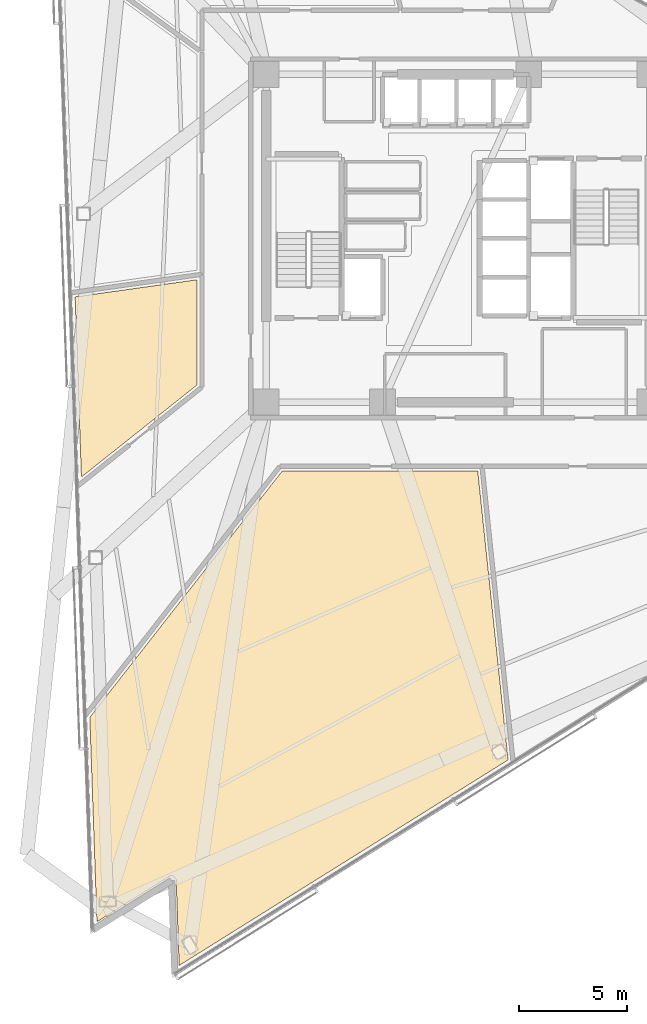
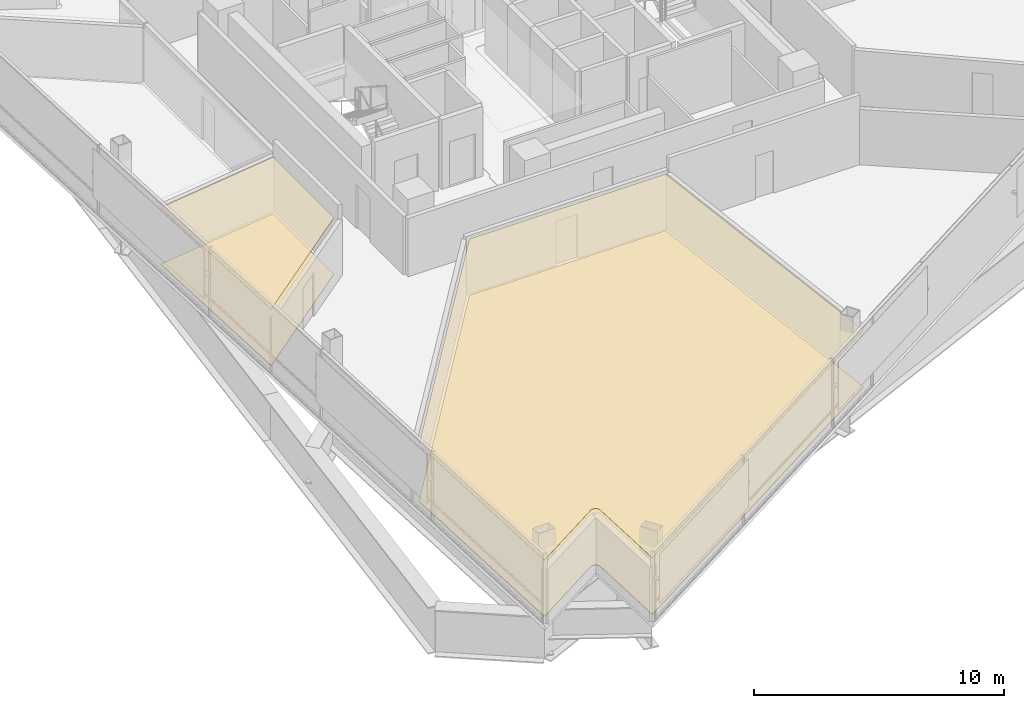
# One storey, part 17 of 20: 4 coverings.
"""IFC4 building model written with IfcOpenShell, lengths in metres."""

from ifc_helpers import new_model, si_unit, direction, frame, origin, place, context, subcontext, project, spatial, polyline, outline, extrude, material, layer, layer_set, type_object, element, save


model = new_model("IFC4")

# Units and contexts
model_context = context("Model", 3, precision=1e-05, world=origin(), true_north=direction((0.0, 1.0)))
body_context = subcontext(model_context, "Body", "Model", "MODEL_VIEW")
ifc_project = project(units=[si_unit("LENGTHUNIT", "METRE"), si_unit("AREAUNIT", "SQUARE_METRE"), si_unit("VOLUMEUNIT", "CUBIC_METRE"), si_unit("PLANEANGLEUNIT", "RADIAN"), si_unit("MASSUNIT", "GRAM", prefix="KILO")], contexts=[model_context])

# Site, building, storey
site_placement = place(None, origin())
site = spatial("IfcSite", under=ifc_project, at=site_placement, CompositionType="ELEMENT")
building_placement = place(site_placement, origin())
building = spatial("IfcBuilding", under=site, at=building_placement, Name="Tharavind Bronze Gate", CompositionType="ELEMENT")
storey_placement = place(building_placement, frame((0.0, 0.0, 138.800048828125)))
storey = spatial("IfcBuildingStorey", under=building, at=storey_placement, Name="L35", CompositionType="ELEMENT", Elevation=138.800048828125)

# Coverings
ifc_material_1 = material(Name="Perforated Bronze Acoustic Panel", Category="bronze")
ifc_layer_1 = layer(ifc_material_1, 0.044921875)
ifc_layer_set_1 = layer_set([ifc_layer_1], Name="Perforated Bronze Acoustic Panel")
covering_type_1 = type_object("IfcCoveringType", Name="ACOUSTIC BRONZE BAFFLE CEILING", PredefinedType="CEILING", material=ifc_layer_set_1)
covering_1_placement = place(storey_placement, frame((0.0, 0.0, 2.75)))
element("IfcCovering", 1, at=covering_1_placement, inside=storey, type_object=covering_type_1, Name="L35-RM-04 suspended ceiling", PredefinedType="CEILING", context=body_context, shape_type="SweptSolid", body=[
    extrude(outline(polyline([(-17.4716796875, -11.073486328125), (-12.10009765625, -6.79736328125), (-12.10009765625, -1.922607421875), (-17.763427734375, -2.718505859375), (-17.4716796875, -11.073486328125)])), origin(), (0.0, 0.0, 1.0), 0.034912109375),
])
ifc_material_2 = material(Name="Engineered Oak & Carpet Tile", Category="wood")
ifc_layer_2 = layer(ifc_material_2, 0.02490234375)
ifc_layer_set_2 = layer_set([ifc_layer_2], Name="Engineered Oak & Carpet Tile")
covering_type_2 = type_object("IfcCoveringType", Name="ENGINEERED TIMBER FLOORING", PredefinedType="FLOORING", material=ifc_layer_set_2)
covering_2_placement = place(storey_placement, origin())
element("IfcCovering", 2, at=covering_2_placement, inside=storey, type_object=covering_type_2, Name="L35-RM-04 floor finish", PredefinedType="FLOORING", context=body_context, shape_type="SweptSolid", body=[
    extrude(outline(polyline([(-17.4716796875, -11.073486328125), (-12.10009765625, -6.79736328125), (-12.10009765625, -1.922607421875), (-17.763427734375, -2.718505859375), (-17.4716796875, -11.073486328125)])), origin(), (0.0, 0.0, 1.0), 0.02490234375),
])
covering_3_placement = place(storey_placement, origin())
element("IfcCovering", 3, at=covering_3_placement, inside=storey, type_object=covering_type_2, Name="L35-RM-05 floor finish", PredefinedType="FLOORING", context=body_context, shape_type="SweptSolid", body=[
    extrude(outline(polyline([(-16.751220703125, -31.70361328125), (-13.411376953125, -29.61669921875), (-13.402099609375, -29.611083984375), (-13.401611328125, -29.61083984375), (-13.3818359375, -29.60107421875), (-13.361328125, -29.593505859375), (-13.340087890625, -29.587890625), (-13.318359375, -29.584228515625), (-13.29638671875, -29.5830078125), (-13.274658203125, -29.583740234375), (-13.2529296875, -29.5869140625), (-13.231689453125, -29.592041015625), (-13.2109375, -29.599365234375), (-13.19091796875, -29.608642578125), (-13.172119140625, -29.6201171875), (-13.154541015625, -29.633056640625), (-13.138427734375, -29.647705078125), (-13.123779296875, -29.6640625), (-13.110595703125, -29.681884765625), (-13.099609375, -29.70068359375), (-13.09033203125, -29.720458984375), (-13.083251953125, -29.7412109375), (-13.078125, -29.7626953125), (-13.0751953125, -29.7841796875), (-13.0751953125, -29.784912109375), (-13.074462890625, -29.7958984375), (-12.93701171875, -33.731689453125), (2.322021484375, -24.197021484375), (0.913818359375, -10.800048828125), (-8.15869140625, -10.800048828125), (-17.082275390625, -22.2216796875), (-16.751220703125, -31.70361328125)])), origin(), (0.0, 0.0, 1.0), 0.02490234375),
])
ifc_material_3 = material(Name="Acoustic Gypsum Board", Category="gypsum")
ifc_layer_3 = layer(ifc_material_3, 0.030029296875)
ifc_layer_set_3 = layer_set([ifc_layer_3], Name="Acoustic Gypsum Board")
covering_type_3 = type_object("IfcCoveringType", Name="GYPSUM SUSPENDED CEILING", PredefinedType="CEILING", material=ifc_layer_set_3)
covering_4_placement = place(storey_placement, frame((0.0, 0.0, 2.75)))
element("IfcCovering", 4, at=covering_4_placement, inside=storey, type_object=covering_type_3, Name="L35-RM-05 suspended ceiling", PredefinedType="CEILING", context=body_context, shape_type="SweptSolid", body=[
    extrude(outline(polyline([(-16.751220703125, -31.70361328125), (-13.411376953125, -29.61669921875), (-13.402099609375, -29.611083984375), (-13.401611328125, -29.61083984375), (-13.3818359375, -29.60107421875), (-13.361328125, -29.593505859375), (-13.340087890625, -29.587890625), (-13.318359375, -29.584228515625), (-13.29638671875, -29.5830078125), (-13.274658203125, -29.583740234375), (-13.2529296875, -29.5869140625), (-13.231689453125, -29.592041015625), (-13.2109375, -29.599365234375), (-13.19091796875, -29.608642578125), (-13.172119140625, -29.6201171875), (-13.154541015625, -29.633056640625), (-13.138427734375, -29.647705078125), (-13.123779296875, -29.6640625), (-13.110595703125, -29.681884765625), (-13.099609375, -29.70068359375), (-13.09033203125, -29.720458984375), (-13.083251953125, -29.7412109375), (-13.078125, -29.7626953125), (-13.0751953125, -29.7841796875), (-13.0751953125, -29.784912109375), (-13.074462890625, -29.7958984375), (-12.93701171875, -33.731689453125), (2.322021484375, -24.197021484375), (0.913818359375, -10.800048828125), (-8.15869140625, -10.800048828125), (-17.082275390625, -22.2216796875), (-16.751220703125, -31.70361328125)])), origin(), (0.0, 0.0, 1.0), 0.034912109375),
])

save(model, "model.ifc")
